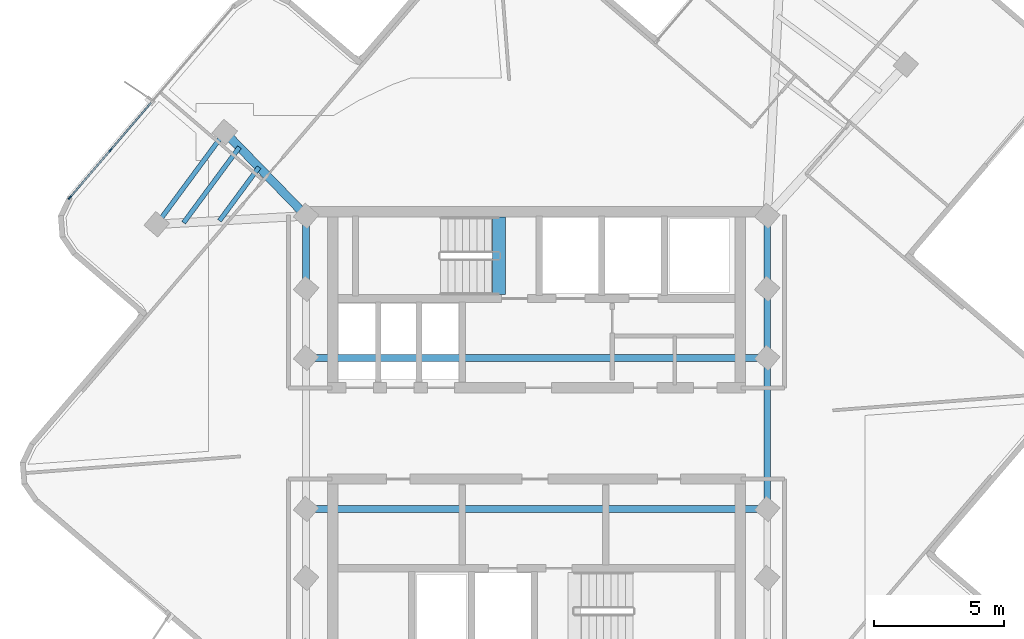
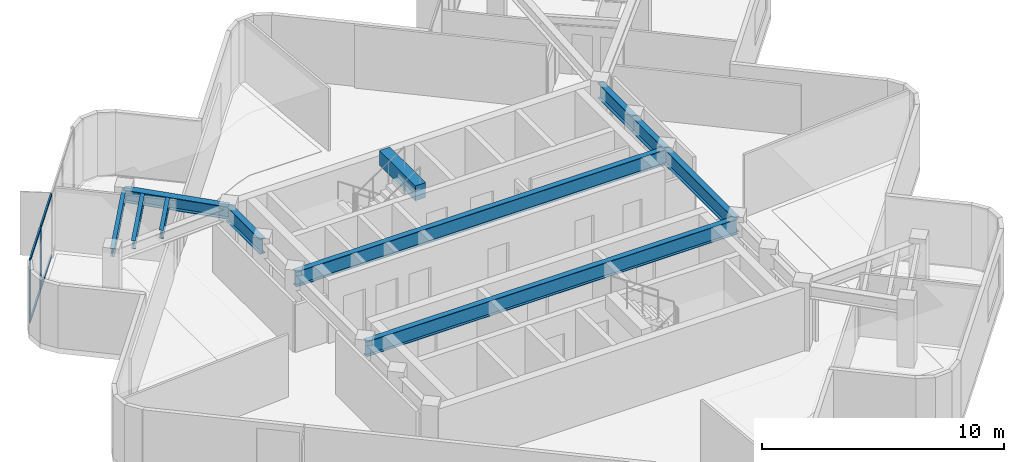
# One storey, part 2 of 10: 11 beams, 6 members, 1 element without a shape of its own.
"""IFC4 building model written with IfcOpenShell, lengths in metres."""

import ifcopenshell
import ifcopenshell.guid

model = None  # the IFC model being written
_history = None  # IfcOwnerHistory: only IFC2X3 demands one
_inside = {}  # id of a spatial element -> (the spatial element, [elements in it])
_under = {}  # id of a project, library or spatial element -> (it, [spatial elements below it])
_declared = {}  # id of a project -> (the project, [libraries it declares])
_typed = {}  # id of a type object -> (the type object, [elements of that type])
_made_of = {}  # id of a material, layer set ... -> (it, [elements and type objects made of it])


def new_model(schema):
    """Start an empty IFC model of exactly this schema.

    Asked for "IFC4X3", IfcOpenShell would pick the latest addendum, in which some entities
    have other attributes; the version numbers below select the first issue.
    IFC2X3 requires an IfcOwnerHistory on every rooted entity: one is made here for all.
    """
    global model, _history
    if schema == "IFC4X3":
        model = ifcopenshell.file(schema_version=(4, 3, 0, 0))
    else:
        model = ifcopenshell.file(schema=schema)
    _inside.clear()
    _under.clear()
    _declared.clear()
    _typed.clear()
    _made_of.clear()
    _history = None
    if model.schema == "IFC2X3":
        org = make("IfcOrganization", Name="unknown")
        user = make(
            "IfcPersonAndOrganization",
            ThePerson=make("IfcPerson", FamilyName="unknown"),
            TheOrganization=org,
        )
        app = make(
            "IfcApplication",
            ApplicationDeveloper=org,
            Version="unknown",
            ApplicationFullName="unknown",
            ApplicationIdentifier="unknown",
        )
        _history = make(
            "IfcOwnerHistory",
            OwningUser=user,
            OwningApplication=app,
            ChangeAction="ADDED",
            CreationDate=0,
        )
    return model


def make(cls, **values):
    """One entity of the class cls with the attributes given. An attribute that is None is left unset."""
    return model.create_entity(
        cls, **{name: value for name, value in values.items() if value is not None}
    )


def rooted(cls, **values):
    """An entity with a GlobalId (a new one), such as an element, a storey or a relation."""
    return make(cls, GlobalId=ifcopenshell.guid.new(), OwnerHistory=_history, **values)


def si_unit(unit_type, name, prefix=None):
    """IfcSIUnit, for example si_unit("LENGTHUNIT", "METRE", prefix="MILLI")."""
    return make("IfcSIUnit", UnitType=unit_type, Prefix=prefix, Name=name)


def assignment(units):
    """IfcUnitAssignment: the units of a project."""
    return None if units is None else make("IfcUnitAssignment", Units=units)


def point(xyz):
    """IfcCartesianPoint."""
    return None if xyz is None else make("IfcCartesianPoint", Coordinates=xyz)


def direction(xyz):
    """IfcDirection."""
    return None if xyz is None else make("IfcDirection", DirectionRatios=xyz)


def frame(location, z_axis=None, x_axis=None):
    """IfcAxis2Placement3D, a coordinate frame: its origin and axes. An axis left out is left unset."""
    return make(
        "IfcAxis2Placement3D",
        Location=point(location),
        Axis=direction(z_axis),
        RefDirection=direction(x_axis),
    )


def frame_2d(location, x_axis=None):
    """IfcAxis2Placement2D, a coordinate frame in the plane: its origin and x axis."""
    return make(
        "IfcAxis2Placement2D", Location=point(location), RefDirection=direction(x_axis)
    )


def origin():
    """The frame at (0, 0, 0) with its axes left unset."""
    return frame((0.0, 0.0, 0.0))


def origin_2d():
    """The frame at (0, 0) in the plane with its x axis left unset."""
    return frame_2d((0.0, 0.0))


def place(relative_to, where):
    """IfcLocalPlacement: puts the frame where relative to a parent placement (None: the world)."""
    return make(
        "IfcLocalPlacement", PlacementRelTo=relative_to, RelativePlacement=where
    )


def context(
    kind, dimensions, precision=None, world=None, true_north=None, identifier=None
):
    """IfcGeometricRepresentationContext, for example the 3D "Model" context."""
    return make(
        "IfcGeometricRepresentationContext",
        ContextIdentifier=identifier,
        ContextType=kind,
        CoordinateSpaceDimension=dimensions,
        Precision=precision,
        WorldCoordinateSystem=world,
        TrueNorth=true_north,
    )


def subcontext(parent, identifier, kind, view, scale=None):
    """IfcGeometricRepresentationSubContext, for example "Body" below "Model"."""
    return make(
        "IfcGeometricRepresentationSubContext",
        ContextIdentifier=identifier,
        ContextType=kind,
        ParentContext=parent,
        TargetScale=scale,
        TargetView=view,
    )


def project(units=None, contexts=None):
    """IfcProject with its units and contexts."""
    return rooted(
        "IfcProject",
        Name="project",
        RepresentationContexts=contexts,
        UnitsInContext=assignment(units),
    )


def spatial(cls, under=None, at=None, **own):
    """A site, building, storey or space (cls), placed at a placement, below another one or the project."""
    s = rooted(cls, ObjectPlacement=at, **own)
    if under is not None:
        _under.setdefault(under.id(), (under, []))[1].append(s)
    return s


def profile(cls, at=None, kind="AREA", **sizes):
    """A parametric profile (cls). Its sizes go by their IFC names, for example OverallWidth=200.0."""
    return make(cls, ProfileType=kind, Position=at, **sizes)


def rectangle(**sizes):
    """IfcRectangleProfileDef."""
    return profile("IfcRectangleProfileDef", **sizes)


def i_section(**sizes):
    """IfcIShapeProfileDef."""
    return profile("IfcIShapeProfileDef", **sizes)


def extrude(swept, where, along, depth):
    """IfcExtrudedAreaSolid: the profile swept, set in the frame where, extruded along a direction by depth."""
    return make(
        "IfcExtrudedAreaSolid",
        SweptArea=swept,
        Position=where,
        ExtrudedDirection=direction(along),
        Depth=depth,
    )


def shape(context_of_items, identifier, shape_type, items):
    """IfcShapeRepresentation: the items that make up one representation, for example the "Body"."""
    return make(
        "IfcShapeRepresentation",
        ContextOfItems=context_of_items,
        RepresentationIdentifier=identifier,
        RepresentationType=shape_type,
        Items=items,
    )


def material(Name=None, Category=None):
    """IfcMaterial."""
    return make("IfcMaterial", Name=Name, Category=Category)


def layer(
    of_material, thickness, ventilated=None, Name=None, Category=None, Priority=None
):
    """IfcMaterialLayer: one layer of a wall or slab, of a material (None: an air gap)."""
    return make(
        "IfcMaterialLayer",
        Material=of_material,
        LayerThickness=thickness,
        IsVentilated=ventilated,
        Name=Name,
        Category=Category,
        Priority=Priority,
    )


def layer_set(layers, Name=None):
    """IfcMaterialLayerSet."""
    return make("IfcMaterialLayerSet", MaterialLayers=layers, LayerSetName=Name)


def material_profile(
    of_material, cross_section, Name=None, Category=None, Priority=None
):
    """IfcMaterialProfile: a cross section and its material."""
    return make(
        "IfcMaterialProfile",
        Name=Name,
        Material=of_material,
        Profile=cross_section,
        Priority=Priority,
        Category=Category,
    )


def profile_set(profiles, Name=None, composite=None):
    """IfcMaterialProfileSet."""
    return make(
        "IfcMaterialProfileSet",
        Name=Name,
        MaterialProfiles=profiles,
        CompositeProfile=composite,
    )


def made_of(thing, what):
    """Note that an element or type object is made of a material, layer set ...; save() writes the relation."""
    if what is not None:
        _made_of.setdefault(what.id(), (what, []))[1].append(thing)
    return thing


def type_object(cls, material=None, **own):
    """A type object (cls), such as IfcWallType, which elements share."""
    return made_of(rooted(cls, **own), material)


def element(
    cls,
    number,
    at=None,
    inside=None,
    cuts=None,
    type_object=None,
    material=None,
    context=None,
    identifier="Body",
    shape_type=None,
    held_by="IfcProductDefinitionShape",
    body=None,
    shapes=None,
    **own,
):
    """One element of the class cls, such as IfcWall. Its Tag is "e" and its number.

    at: its placement. inside: the storey or other place that contains it. cuts: it is an
    opening in that element (IfcRelVoidsElement). A single representation is given by context,
    identifier, shape_type and body (its items); several are given by shapes. held_by: the class
    of the entity that holds the representations. save() writes the other relations.
    """
    e = rooted(cls, Tag="e%d" % number, ObjectPlacement=at, **own)
    if body is not None:
        shapes = [shape(context, identifier, shape_type, body)]
    if shapes is not None:
        e.Representation = make(held_by, Representations=shapes)
    if inside is not None:
        _inside.setdefault(inside.id(), (inside, []))[1].append(e)
    if cuts is not None:
        rooted(
            "IfcRelVoidsElement", RelatingBuildingElement=cuts, RelatedOpeningElement=e
        )
    if type_object is not None:
        _typed.setdefault(type_object.id(), (type_object, []))[1].append(e)
    return made_of(e, material)


def aggregate(whole, parts):
    """IfcRelAggregates: a whole, such as a stair, and the parts it consists of."""
    return rooted("IfcRelAggregates", RelatingObject=whole, RelatedObjects=parts)


def save(model, path):
    """Write the relations noted so far, then the file.

    IfcRelAggregates (storeys below a building ...), IfcRelContainedInSpatialStructure (elements
    in a storey), IfcRelDefinesByType, IfcRelAssociatesMaterial and IfcRelDeclares: one each for
    every whole, place, type object, material and project.
    """
    for whole, parts in _under.values():
        aggregate(whole, parts)
    for where, things in _inside.values():
        rooted(
            "IfcRelContainedInSpatialStructure",
            RelatedElements=things,
            RelatingStructure=where,
        )
    for kind, things in _typed.values():
        rooted("IfcRelDefinesByType", RelatedObjects=things, RelatingType=kind)
    for what, things in _made_of.values():
        rooted("IfcRelAssociatesMaterial", RelatedObjects=things, RelatingMaterial=what)
    for by, libraries in _declared.values():
        rooted("IfcRelDeclares", RelatingContext=by, RelatedDefinitions=libraries)
    model.write(path)


model = new_model("IFC4")

# Units and contexts
model_context = context("Model", 3, precision=1e-05, world=origin(), true_north=direction((0.0, 1.0)))
body_context = subcontext(model_context, "Body", "Model", "MODEL_VIEW")
ifc_project = project(units=[si_unit("LENGTHUNIT", "METRE"), si_unit("AREAUNIT", "SQUARE_METRE"), si_unit("VOLUMEUNIT", "CUBIC_METRE"), si_unit("PLANEANGLEUNIT", "RADIAN"), si_unit("MASSUNIT", "GRAM", prefix="KILO")], contexts=[model_context])

# Site, building, storey
site_placement = place(None, origin())
site = spatial("IfcSite", under=ifc_project, at=site_placement, CompositionType="ELEMENT")
building_placement = place(site_placement, origin())
building = spatial("IfcBuilding", under=site, at=building_placement, Name="Solmarez Civic Tower", CompositionType="ELEMENT")
storey_placement = place(building_placement, frame((0.0, 0.0, 254.340087890625)))
storey = spatial("IfcBuildingStorey", under=building, at=storey_placement, Name="L68", CompositionType="ELEMENT", Elevation=254.340087890625)

# Beams
ifc_material_1 = material(Name="Steel S355", Category="steel")
ifc_material_profile_1 = material_profile(ifc_material_1, i_section(OverallWidth=0.178955078125, OverallDepth=0.409912109375, WebThickness=0.0087890625, FlangeThickness=0.014404296875, at=origin_2d()), Name="W16X45")
ifc_profile_set_1 = profile_set([ifc_material_profile_1], Name="Steel S355")
beam_type_1 = type_object("IfcBeamType", Name="BM-JS-W16X45", PredefinedType="JOIST", material=ifc_profile_set_1)
beam_1_placement = place(storey_placement, frame((-11.970947265625, 11.56591796875, 2.954833984375), z_axis=(-0.593730834471, -0.804663716219, 0.0), x_axis=(0.804663716219, -0.593730834471, 0.0)))
element("IfcBeam", 1, at=beam_1_placement, inside=storey, type_object=beam_type_1, Name="L68 Secondary Floor Joist BM-L68-NA-T1", PredefinedType="JOIST", context=body_context, shape_type="SweptSolid", body=[
    extrude(i_section(OverallWidth=0.178955078125, OverallDepth=0.409912109375, WebThickness=0.0087890625, FlangeThickness=0.014404296875, at=origin_2d()), origin(), (0.0, 0.0, 1.0), 4.3994140625),
])
beam_2_placement = place(storey_placement, frame((-10.659912109375, 10.215087890625, 2.954833984375), z_axis=(-0.593812477683, -0.804603468392, 0.0), x_axis=(0.804603468392, -0.593812477683, 0.0)))
element("IfcBeam", 2, at=beam_2_placement, inside=storey, type_object=beam_type_1, Name="L68 Secondary Floor Joist JS-L68-NA-M11", PredefinedType="JOIST", context=body_context, shape_type="SweptSolid", body=[
    extrude(i_section(OverallWidth=0.178955078125, OverallDepth=0.409912109375, WebThickness=0.0087890625, FlangeThickness=0.014404296875, at=origin_2d()), origin(), (0.0, 0.0, 1.0), 2.551513671875),
])
beam_3_placement = place(storey_placement, frame((-11.408935546875, 10.987060546875, 2.954833984375), z_axis=(-0.593734433343, -0.804661060735, 0.0), x_axis=(0.804661060735, -0.593734433343, 0.0)))
element("IfcBeam", 3, at=beam_3_placement, inside=storey, type_object=beam_type_1, Name="L68 Secondary Floor Joist JS-L68-NA-M12", PredefinedType="JOIST", context=body_context, shape_type="SweptSolid", body=[
    extrude(i_section(OverallWidth=0.178955078125, OverallDepth=0.409912109375, WebThickness=0.0087890625, FlangeThickness=0.014404296875, at=origin_2d()), origin(), (0.0, 0.0, 1.0), 3.60791015625),
])
ifc_material_2 = material(Name="Concrete C50/60", Category="concrete")
ifc_material_profile_2 = material_profile(ifc_material_2, rectangle(XDim=0.5, YDim=0.75, at=origin_2d()), Name="RC500X750")
ifc_profile_set_2 = profile_set([ifc_material_profile_2], Name="Concrete C50/60")
beam_type_2 = type_object("IfcBeamType", Name="BM-PR-RC500X750", PredefinedType="BEAM", material=ifc_profile_set_2)
beam_4_placement = place(storey_placement, frame((-1.449951171875, 5.340087890625, 3.052978515625), z_axis=(0.0, 1.0, 0.0), x_axis=(-1.0, 0.0, 0.0)))
element("IfcBeam", 4, at=beam_4_placement, inside=storey, type_object=beam_type_2, Name="L68 North Stair Threshold Beam", PredefinedType="BEAM", context=body_context, shape_type="SweptSolid", body=[
    extrude(rectangle(XDim=0.5, YDim=0.75, at=origin_2d()), origin(), (0.0, 0.0, 1.0), 2.9599609375),
])
ifc_material_profile_3 = material_profile(ifc_material_1, i_section(OverallWidth=0.327880859375, OverallDepth=0.6220703125, WebThickness=0.015380859375, FlangeThickness=0.0244140625, at=origin_2d()), Name="W24X131")
ifc_profile_set_3 = profile_set([ifc_material_profile_3], Name="Steel S355")
beam_type_3 = type_object("IfcBeamType", Name="BM-PR-W24X131", PredefinedType="BEAM", material=ifc_profile_set_3)
beam_5_placement = place(storey_placement, frame((-8.85009765625, 8.35009765625, 2.848876953125), z_axis=(-0.696430820305, 0.717623935309, 0.0), x_axis=(-0.717623935309, -0.696430820305, 0.0)))
element("IfcBeam", 5, at=beam_5_placement, inside=storey, type_object=beam_type_3, Name="L68 Primary Floor Beam BM-L68-NA-R1A", PredefinedType="BEAM", context=body_context, shape_type="SweptSolid", body=[
    extrude(i_section(OverallWidth=0.327880859375, OverallDepth=0.6220703125, WebThickness=0.015380859375, FlangeThickness=0.0244140625, at=origin_2d()), origin(), (0.0, 0.0, 1.0), 4.481201171875),
])
ifc_material_profile_4 = material_profile(ifc_material_1, i_section(OverallWidth=0.26708984375, OverallDepth=0.761962890625, WebThickness=0.014404296875, FlangeThickness=0.021484375, at=origin_2d()), Name="W30X116")
ifc_profile_set_4 = profile_set([ifc_material_profile_4], Name="Steel S355")
beam_type_4 = type_object("IfcBeamType", Name="BM-PR-W30X116", PredefinedType="BEAM", material=ifc_profile_set_4)
beam_6_placement = place(storey_placement, frame((-8.85009765625, 5.550048828125, 2.77880859375), z_axis=(0.0, 1.0, 0.0), x_axis=(-1.0, 0.0, 0.0)))
element("IfcBeam", 6, at=beam_6_placement, inside=storey, type_object=beam_type_4, Name="L68 Primary Floor Beam BM-L68-HC4-HC9", PredefinedType="BEAM", context=body_context, shape_type="SweptSolid", body=[
    extrude(i_section(OverallWidth=0.26708984375, OverallDepth=0.761962890625, WebThickness=0.014404296875, FlangeThickness=0.021484375, at=origin_2d()), origin(), (0.0, 0.0, 1.0), 2.800048828125),
])
beam_7_placement = place(storey_placement, frame((8.85009765625, -2.89990234375, 2.77880859375), z_axis=(0.0, 1.0, 0.0), x_axis=(-1.0, 0.0, 0.0)))
element("IfcBeam", 7, at=beam_7_placement, inside=storey, type_object=beam_type_4, Name="L68 Primary Floor Beam BM-L68-HC6-HC7", PredefinedType="BEAM", context=body_context, shape_type="SweptSolid", body=[
    extrude(i_section(OverallWidth=0.26708984375, OverallDepth=0.761962890625, WebThickness=0.014404296875, FlangeThickness=0.021484375, at=origin_2d()), origin(), (0.0, 0.0, 1.0), 5.7998046875),
])
beam_8_placement = place(storey_placement, frame((8.85009765625, 2.89990234375, 2.77880859375), z_axis=(0.0, 1.0, 0.0), x_axis=(-1.0, 0.0, 0.0)))
element("IfcBeam", 8, at=beam_8_placement, inside=storey, type_object=beam_type_4, Name="L68 Primary Floor Beam BM-L68-HC7-HC8", PredefinedType="BEAM", context=body_context, shape_type="SweptSolid", body=[
    extrude(i_section(OverallWidth=0.26708984375, OverallDepth=0.761962890625, WebThickness=0.014404296875, FlangeThickness=0.021484375, at=origin_2d()), origin(), (0.0, 0.0, 1.0), 2.650146484375),
])
beam_9_placement = place(storey_placement, frame((8.85009765625, 5.550048828125, 2.77880859375), z_axis=(0.0, 1.0, 0.0), x_axis=(-1.0, 0.0, 0.0)))
element("IfcBeam", 9, at=beam_9_placement, inside=storey, type_object=beam_type_4, Name="L68 Primary Floor Beam BM-L68-HC8-HC11", PredefinedType="BEAM", context=body_context, shape_type="SweptSolid", body=[
    extrude(i_section(OverallWidth=0.26708984375, OverallDepth=0.761962890625, WebThickness=0.014404296875, FlangeThickness=0.021484375, at=origin_2d()), origin(), (0.0, 0.0, 1.0), 2.800048828125),
])
for number, where, z_axis, x_axis, name in (
    (10, (-8.85009765625, -2.89990234375, 2.77880859375), (1.0, 0.0, 0.0), (0.0, 1.0, 0.0), "L68 Primary Floor Beam BM-L68-HC2-HC6"),
    (11, (-8.85009765625, 2.89990234375, 2.77880859375), (1.0, 0.0, 0.0), (0.0, 1.0, 0.0), "L68 Primary Floor Beam BM-L68-HC3-HC7"),
):
    element("IfcBeam", number, at=place(storey_placement, frame(where, z_axis=z_axis, x_axis=x_axis)), inside=storey, type_object=beam_type_4, Name=name, PredefinedType="BEAM", context=body_context, shape_type="SweptSolid", body=[
        extrude(i_section(OverallWidth=0.26708984375, OverallDepth=0.761962890625, WebThickness=0.014404296875, FlangeThickness=0.021484375, at=origin_2d()), origin(), (0.0, 0.0, 1.0), 17.7001953125),
    ])

# Curtain wall, members
ifc_material_3 = material(Name="Bronze Anodised Aluminium EN AW-6063 T6", Category="aluminium")
ifc_layer = layer(ifc_material_3, 0.1650390625)
ifc_layer_set = layer_set([ifc_layer], Name="Bronze Anodised Aluminium EN AW-6063 T6")
curtain_wall_type = type_object("IfcCurtainWallType", Name="CW-SYS-4", PredefinedType="NOTDEFINED", material=ifc_layer_set)
curtain_wall_placement = place(storey_placement, origin())
curtain_wall = element("IfcCurtainWall", 12, at=curtain_wall_placement, inside=storey, type_object=curtain_wall_type, Name="L68 Stick-Built Curtain Wall 1", PredefinedType="NOTDEFINED")
ifc_material_profile_5 = material_profile(ifc_material_3, rectangle(XDim=0.06005859375, YDim=0.14990234375, at=origin_2d()), Name="CWM-60X150")
ifc_profile_set_5 = profile_set([ifc_material_profile_5], Name="Bronze Anodised Aluminium EN AW-6063 T6")
member_type_1 = type_object("IfcMemberType", Name="CWM-TYPE-4", PredefinedType="MULLION", material=ifc_profile_set_5)
member_1_placement = place(storey_placement, frame((-17.923583984375, 9.046875, 0.0), z_axis=(0.0, 0.0, 1.0), x_axis=(-0.75975006203, 0.650215228402, 0.0)))
member_1 = element("IfcMember", 13, at=member_1_placement, type_object=member_type_1, Name="CWS4 mullion 1", PredefinedType="MULLION", context=body_context, shape_type="SweptSolid", body=[
    extrude(rectangle(XDim=0.06005859375, YDim=0.14990234375, at=origin_2d()), origin(), (0.0, 0.0, 1.0), 3.159912109375),
])
member_2_placement = place(storey_placement, frame((-16.362548828125, 10.870849609375, 0.0), z_axis=(0.0, 0.0, 1.0), x_axis=(-0.75975006203, 0.650215228402, 0.0)))
member_2 = element("IfcMember", 14, at=member_2_placement, type_object=member_type_1, Name="CWS4 mullion 2", PredefinedType="MULLION", context=body_context, shape_type="SweptSolid", body=[
    extrude(rectangle(XDim=0.06005859375, YDim=0.14990234375, at=origin_2d()), origin(), (0.0, 0.0, 1.0), 3.159912109375),
])
ifc_material_profile_6 = material_profile(ifc_material_3, rectangle(XDim=0.070068359375, YDim=0.139892578125, at=origin_2d()), Name="CWT-70X140")
ifc_profile_set_6 = profile_set([ifc_material_profile_6], Name="Bronze Anodised Aluminium EN AW-6063 T6")
member_type_2 = type_object("IfcMemberType", Name="CWT-TYPE-1", PredefinedType="USERDEFINED", material=ifc_profile_set_6)
member_3_placement = place(storey_placement, frame((-17.904052734375, 9.069580078125, 0.034912109375), z_axis=(0.650224275105, 0.759742319516, 0.0), x_axis=(-0.759742319516, 0.650224275105, 0.0)))
member_3 = element("IfcMember", 15, at=member_3_placement, type_object=member_type_2, Name="CWS4 transom 1.1", ObjectType="TRANSOM", PredefinedType="USERDEFINED", context=body_context, shape_type="SweptSolid", body=[
    extrude(rectangle(XDim=0.070068359375, YDim=0.139892578125, at=origin_2d()), origin(), (0.0, 0.0, 1.0), 2.340576171875),
])
member_4_placement = place(storey_placement, frame((-17.904052734375, 9.069580078125, 3.125), z_axis=(0.650224275105, 0.759742319516, 0.0), x_axis=(-0.759742319516, 0.650224275105, 0.0)))
member_4 = element("IfcMember", 16, at=member_4_placement, type_object=member_type_2, Name="CWS4 transom 1.2", ObjectType="TRANSOM", PredefinedType="USERDEFINED", context=body_context, shape_type="SweptSolid", body=[
    extrude(rectangle(XDim=0.070068359375, YDim=0.139892578125, at=origin_2d()), origin(), (0.0, 0.0, 1.0), 2.340576171875),
])
member_5_placement = place(storey_placement, frame((-16.343017578125, 10.8935546875, 0.034912109375), z_axis=(0.650197541725, 0.759765198423, 0.0), x_axis=(-0.759765198423, 0.650197541725, 0.0)))
member_5 = element("IfcMember", 17, at=member_5_placement, type_object=member_type_2, Name="CWS4 transom 2.1", ObjectType="TRANSOM", PredefinedType="USERDEFINED", context=body_context, shape_type="SweptSolid", body=[
    extrude(rectangle(XDim=0.070068359375, YDim=0.139892578125, at=origin_2d()), origin(), (0.0, 0.0, 1.0), 2.370849609375),
])
member_6_placement = place(storey_placement, frame((-16.343017578125, 10.8935546875, 3.125), z_axis=(0.650197541725, 0.759765198423, 0.0), x_axis=(-0.759765198423, 0.650197541725, 0.0)))
member_6 = element("IfcMember", 18, at=member_6_placement, type_object=member_type_2, Name="CWS4 transom 2.2", ObjectType="TRANSOM", PredefinedType="USERDEFINED", context=body_context, shape_type="SweptSolid", body=[
    extrude(rectangle(XDim=0.070068359375, YDim=0.139892578125, at=origin_2d()), origin(), (0.0, 0.0, 1.0), 2.370849609375),
])
aggregate(curtain_wall, [member_1, member_2, member_3, member_4, member_5, member_6])

save(model, "model.ifc")
